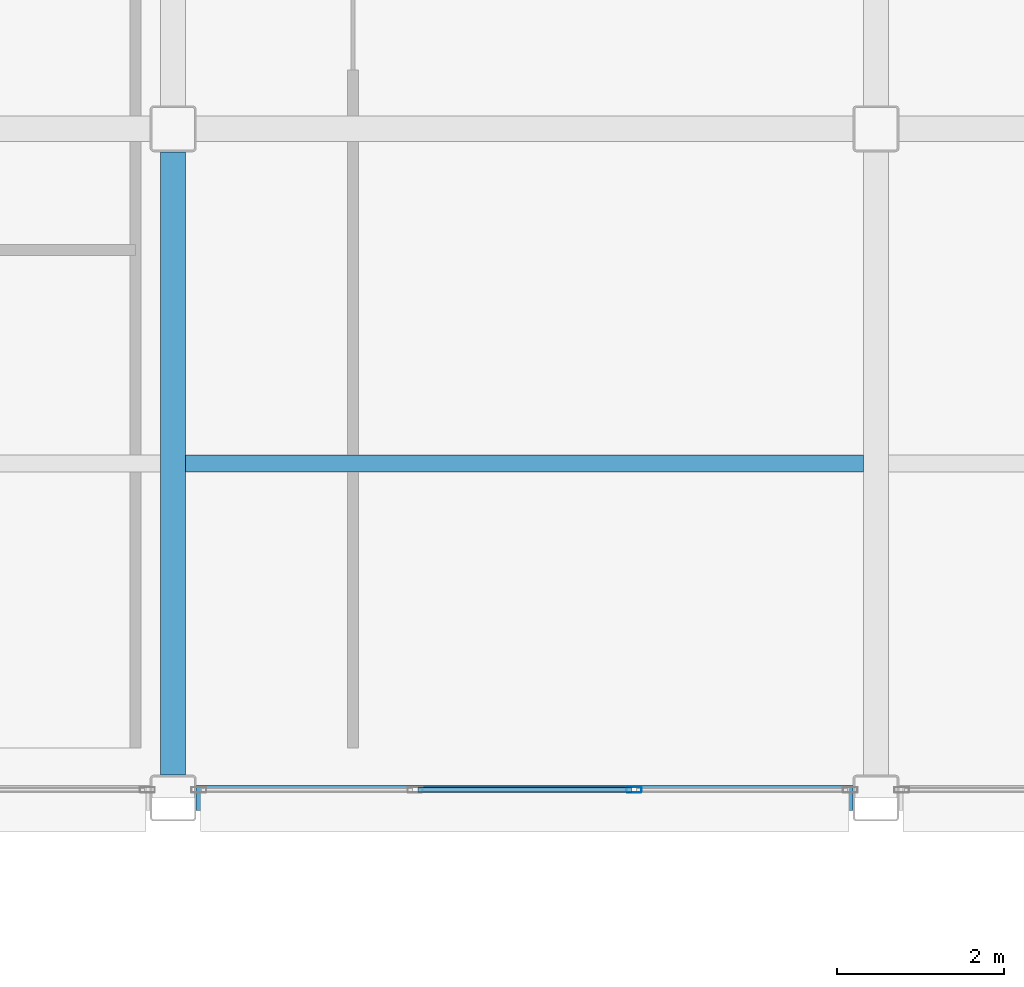
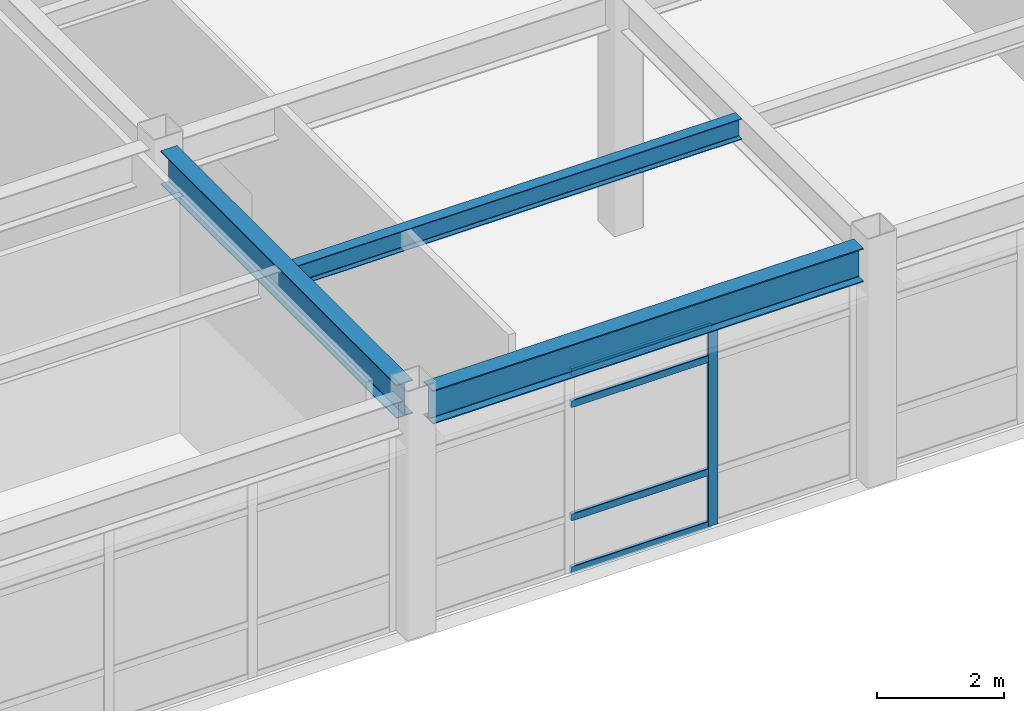
# One storey, part 41 of 154: 5 members, 3 beams, 1 element without a shape of its own.
"""IFC4 building model written with IfcOpenShell, lengths in metres."""

from ifc_helpers import new_model, si_unit, direction, frame, origin, origin_2d, place, context, subcontext, project, spatial, hollow_rectangle, i_section, extrude, material, layer, layer_set, material_profile, profile_set, type_object, element, aggregate, save


model = new_model("IFC4")

# Units and contexts
model_context = context("Model", 3, precision=1e-05, world=origin(), true_north=direction((0.0, 1.0)))
body_context = subcontext(model_context, "Body", "Model", "MODEL_VIEW")
ifc_project = project(units=[si_unit("LENGTHUNIT", "METRE"), si_unit("AREAUNIT", "SQUARE_METRE"), si_unit("VOLUMEUNIT", "CUBIC_METRE"), si_unit("PLANEANGLEUNIT", "RADIAN"), si_unit("MASSUNIT", "GRAM", prefix="KILO")], contexts=[model_context])

# Site, building, storey
site_placement = place(None, origin())
site = spatial("IfcSite", under=ifc_project, at=site_placement, CompositionType="ELEMENT")
building_placement = place(site_placement, origin())
building = spatial("IfcBuilding", under=site, at=building_placement, Name="Kazehara Bluff Congress Hotel", CompositionType="ELEMENT")
storey_placement = place(building_placement, frame((0.0, 0.0, 10.199951171875)))
storey = spatial("IfcBuildingStorey", under=building, at=storey_placement, Name="L02", CompositionType="ELEMENT", Elevation=10.199951171875)

# Curtain wall, members
ifc_material_1 = material(Name="Anodised aluminium", Category="aluminium")
ifc_layer = layer(ifc_material_1, 0.159912109375)
ifc_layer_set = layer_set([ifc_layer], Name="Anodised aluminium")
curtain_wall_type = type_object("IfcCurtainWallType", Name="TP-CW-117", PredefinedType="NOTDEFINED", material=ifc_layer_set)
curtain_wall_placement = place(storey_placement, origin())
curtain_wall = element("IfcCurtainWall", 1, at=curtain_wall_placement, inside=storey, type_object=curtain_wall_type, Name="L02 curtain wall CW-117 CW-ENC-V4-L02-9705-1610", PredefinedType="NOTDEFINED")
ifc_material_2 = material(Name="Anodised aluminium", Category="aluminium")
ifc_material_profile_1 = material_profile(ifc_material_2, hollow_rectangle(XDim=0.06494140625, YDim=0.179931640625, WallThickness=0.00390625, InnerFilletRadius=0.00390625, OuterFilletRadius=0.008056640625, at=origin_2d()))
ifc_profile_set_1 = profile_set([ifc_material_profile_1], Name="Anodised aluminium")
member_type_1 = type_object("IfcMemberType", Name="TP-CWM-02", PredefinedType="MULLION", material=ifc_profile_set_1)
member_1_placement = place(storey_placement, frame((98.3583984375, 16.10009765625, 0.0), z_axis=(0.0, 0.0, 1.0), x_axis=(0.0, -1.0, 0.0)))
member_1 = element("IfcMember", 2, at=member_1_placement, type_object=member_type_1, Name="CW-117 mullion 2", PredefinedType="MULLION", context=body_context, shape_type="SweptSolid", body=[
    extrude(hollow_rectangle(XDim=0.06494140625, YDim=0.179931640625, WallThickness=0.00390625, InnerFilletRadius=0.00390625, OuterFilletRadius=0.008056640625, at=origin_2d()), origin(), (0.0, 0.0, 1.0), 3.885009765625),
])
ifc_material_3 = material(Name="Anodised aluminium", Category="aluminium")
ifc_material_profile_2 = material_profile(ifc_material_3, hollow_rectangle(XDim=0.06494140625, YDim=0.139892578125, WallThickness=0.00390625, InnerFilletRadius=0.00390625, OuterFilletRadius=0.008056640625, at=origin_2d()))
ifc_profile_set_2 = profile_set([ifc_material_profile_2], Name="Anodised aluminium")
member_type_2 = type_object("IfcMemberType", Name="TP-CWT-02", PredefinedType="USERDEFINED", material=ifc_profile_set_2)
member_2_placement = place(storey_placement, frame((98.325927734375, 16.10009765625, 0.032470703125), z_axis=(-1.0, 0.0, 0.0), x_axis=(0.0, -1.0, 0.0)))
member_2 = element("IfcMember", 3, at=member_2_placement, type_object=member_type_2, Name="CW-117 transom 2.1", ObjectType="TRANSOM", PredefinedType="USERDEFINED", context=body_context, shape_type="SweptSolid", body=[
    extrude(hollow_rectangle(XDim=0.06494140625, YDim=0.139892578125, WallThickness=0.00390625, InnerFilletRadius=0.00390625, OuterFilletRadius=0.008056640625, at=origin_2d()), origin(), (0.0, 0.0, 1.0), 2.5517578125),
])
member_3_placement = place(storey_placement, frame((98.325927734375, 16.10009765625, 1.050048828125), z_axis=(-1.0, 0.0, 0.0), x_axis=(0.0, -1.0, 0.0)))
member_3 = element("IfcMember", 4, at=member_3_placement, type_object=member_type_2, Name="CW-117 transom 2.2", ObjectType="TRANSOM", PredefinedType="USERDEFINED", context=body_context, shape_type="SweptSolid", body=[
    extrude(hollow_rectangle(XDim=0.06494140625, YDim=0.139892578125, WallThickness=0.00390625, InnerFilletRadius=0.00390625, OuterFilletRadius=0.008056640625, at=origin_2d()), origin(), (0.0, 0.0, 1.0), 2.5517578125),
])
member_4_placement = place(storey_placement, frame((98.325927734375, 16.10009765625, 3.235107421875), z_axis=(-1.0, 0.0, 0.0), x_axis=(0.0, -1.0, 0.0)))
member_4 = element("IfcMember", 5, at=member_4_placement, type_object=member_type_2, Name="CW-117 transom 2.3", ObjectType="TRANSOM", PredefinedType="USERDEFINED", context=body_context, shape_type="SweptSolid", body=[
    extrude(hollow_rectangle(XDim=0.06494140625, YDim=0.139892578125, WallThickness=0.00390625, InnerFilletRadius=0.00390625, OuterFilletRadius=0.008056640625, at=origin_2d()), origin(), (0.0, 0.0, 1.0), 2.5517578125),
])
member_5_placement = place(storey_placement, frame((98.325927734375, 16.10009765625, 3.8525390625), z_axis=(-1.0, 0.0, 0.0), x_axis=(0.0, -1.0, 0.0)))
member_5 = element("IfcMember", 6, at=member_5_placement, type_object=member_type_2, Name="CW-117 transom 2.4", ObjectType="TRANSOM", PredefinedType="USERDEFINED", context=body_context, shape_type="SweptSolid", body=[
    extrude(hollow_rectangle(XDim=0.06494140625, YDim=0.139892578125, WallThickness=0.00390625, InnerFilletRadius=0.00390625, OuterFilletRadius=0.008056640625, at=origin_2d()), origin(), (0.0, 0.0, 1.0), 2.5517578125),
])
aggregate(curtain_wall, [member_1, member_2, member_3, member_4, member_5])

# Beams
ifc_material_4 = material(Name="Steel SN490B", Category="steel")
ifc_material_profile_3 = material_profile(ifc_material_4, i_section(OverallWidth=0.300048828125, OverallDepth=0.64990234375, WebThickness=0.011962890625, FlangeThickness=0.02001953125, FilletRadius=0.012939453125, at=origin_2d()))
ifc_profile_set_3 = profile_set([ifc_material_profile_3], Name="Steel SN490B")
beam_type_1 = type_object("IfcBeamType", Name="TP-G-03", PredefinedType="BEAM", material=ifc_profile_set_3)
beam_1_placement = place(storey_placement, frame((92.85009765625, 16.27490234375, 4.235107421875), z_axis=(0.0, 1.0, 0.0), x_axis=(-1.0, 0.0, 0.0)))
element("IfcBeam", 7, at=beam_1_placement, inside=storey, type_object=beam_type_1, Name="L02 girder G-03 79", PredefinedType="BEAM", context=body_context, shape_type="SweptSolid", body=[
    extrude(i_section(OverallWidth=0.300048828125, OverallDepth=0.64990234375, WebThickness=0.011962890625, FlangeThickness=0.02001953125, FilletRadius=0.012939453125, at=origin_2d()), origin(), (0.0, 0.0, 1.0), 7.4501953125),
])
beam_2_placement = place(storey_placement, frame((93.125, 16.0, 4.235107421875), z_axis=(1.0, 0.0, 0.0), x_axis=(0.0, 1.0, 0.0)))
element("IfcBeam", 8, at=beam_2_placement, inside=storey, type_object=beam_type_1, Name="L02 girder G-03 100", PredefinedType="BEAM", context=body_context, shape_type="SweptSolid", body=[
    extrude(i_section(OverallWidth=0.300048828125, OverallDepth=0.64990234375, WebThickness=0.011962890625, FlangeThickness=0.02001953125, FilletRadius=0.012939453125, at=origin_2d()), origin(), (0.0, 0.0, 1.0), 7.85009765625),
])
ifc_material_5 = material(Name="Steel SN400B", Category="steel")
ifc_material_profile_4 = material_profile(ifc_material_5, i_section(OverallWidth=0.199951171875, OverallDepth=0.39990234375, WebThickness=0.008056640625, FlangeThickness=0.012939453125, FilletRadius=0.012939453125, at=origin_2d()))
ifc_profile_set_4 = profile_set([ifc_material_profile_4], Name="Steel SN400B")
beam_type_2 = type_object("IfcBeamType", Name="TP-J-03", PredefinedType="JOIST", material=ifc_profile_set_4)
beam_3_placement = place(storey_placement, frame((93.0, 20.0, 4.360107421875), z_axis=(1.0, 0.0, 0.0), x_axis=(0.0, 1.0, 0.0)))
element("IfcBeam", 9, at=beam_3_placement, inside=storey, type_object=beam_type_2, Name="L02 secondary joist J-03 17", PredefinedType="JOIST", context=body_context, shape_type="SweptSolid", body=[
    extrude(i_section(OverallWidth=0.199951171875, OverallDepth=0.39990234375, WebThickness=0.008056640625, FlangeThickness=0.012939453125, FilletRadius=0.012939453125, at=origin_2d()), origin(), (0.0, 0.0, 1.0), 8.10009765625),
])

save(model, "model.ifc")
